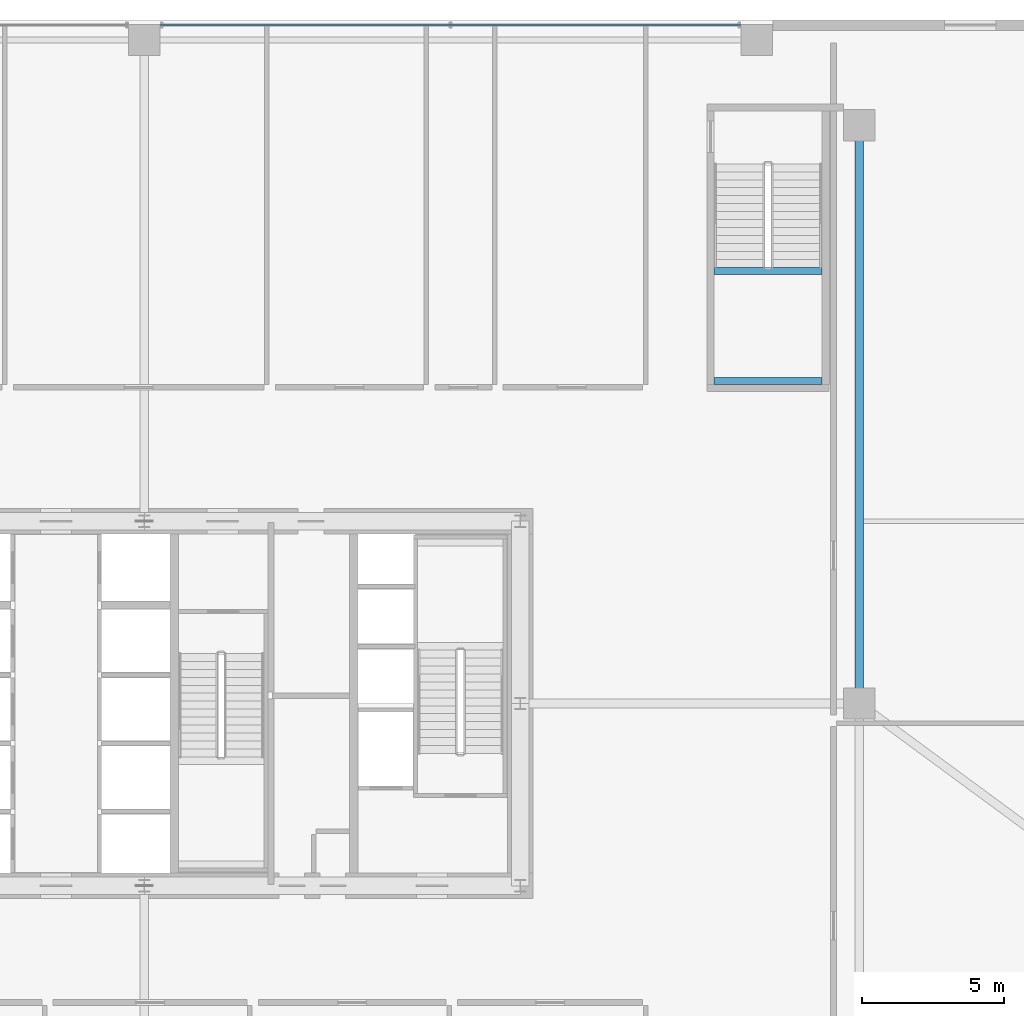
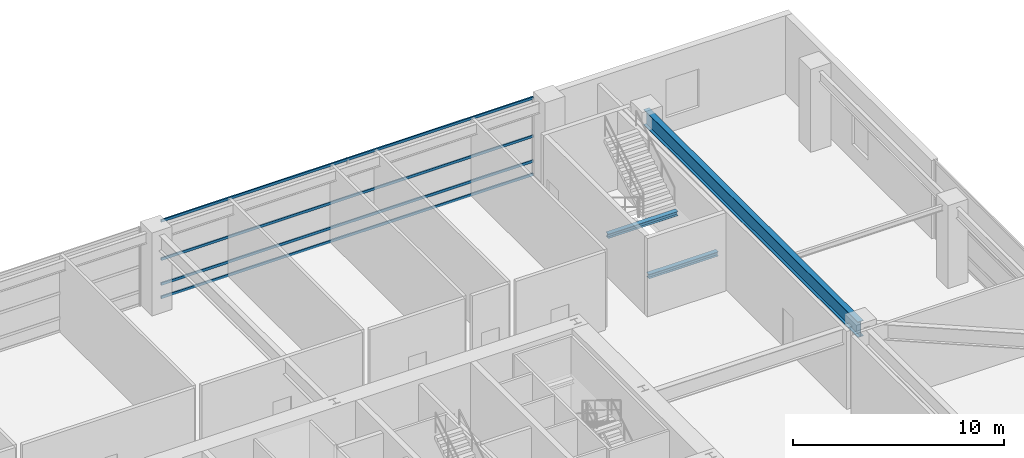
# One storey, part 26 of 39: 4 members, 3 beams, 1 element without a shape of its own.
"""IFC4 building model written with IfcOpenShell, lengths in metres."""

from ifc_helpers import new_model, si_unit, direction, frame, origin, origin_2d, place, context, subcontext, project, spatial, hollow_rectangle, i_section, extrude, source, transform, mapped, material, layer, layer_set, material_profile, profile_set, type_object, element, aggregate, save


model = new_model("IFC4")

# Units and contexts
model_context = context("Model", 3, precision=1e-05, world=origin(), true_north=direction((0.0, 1.0)))
body_context = subcontext(model_context, "Body", "Model", "MODEL_VIEW")
ifc_project = project(units=[si_unit("LENGTHUNIT", "METRE"), si_unit("AREAUNIT", "SQUARE_METRE"), si_unit("VOLUMEUNIT", "CUBIC_METRE"), si_unit("PLANEANGLEUNIT", "RADIAN"), si_unit("MASSUNIT", "GRAM", prefix="KILO"), si_unit("THERMODYNAMICTEMPERATUREUNIT", "KELVIN"), si_unit("POWERUNIT", "WATT")], contexts=[model_context])

# Site, building, storey
site_placement = place(None, origin())
site = spatial("IfcSite", under=ifc_project, at=site_placement, CompositionType="ELEMENT")
building_placement = place(site_placement, origin())
building = spatial("IfcBuilding", under=site, at=building_placement, Name="Yuzanri Waterfront Tower", CompositionType="ELEMENT")
storey_placement = place(building_placement, frame((0.0, 0.0, 15.0)))
storey = spatial("IfcBuildingStorey", under=building, at=storey_placement, Name="L04", CompositionType="ELEMENT", Elevation=15.0)

# Beam
ifc_material_1 = material(Name="Steel Q355B", Category="steel")
ifc_material_profile_1 = material_profile(ifc_material_1, i_section(OverallWidth=0.300048828125, OverallDepth=0.89990234375, WebThickness=0.01611328125, FlangeThickness=0.028076171875, at=origin_2d()), Name="HN 900x300x16x28")
ifc_profile_set_1 = profile_set([ifc_material_profile_1], Name="Steel Q355B")
beam_type_1 = type_object("IfcBeamType", Name="Primary Podium Girder Q355B HN 900x300", PredefinedType="BEAM", material=ifc_profile_set_1)
shared_shape_1 = source(origin(), body_context, "Body", "SweptSolid", [
    extrude(i_section(OverallWidth=0.300048828125, OverallDepth=0.89990234375, WebThickness=0.01611328125, FlangeThickness=0.028076171875, at=origin_2d()), origin(), (0.0, 0.0, 1.0), 20.300048828125),
])
beam_placement = place(storey_placement, frame((62.10009765625, 25.800048828125, 4.070068359375), z_axis=(0.0, 1.0, 0.0), x_axis=(-1.0, 0.0, 0.0)))
element("IfcBeam", 1, at=beam_placement, inside=storey, type_object=beam_type_1, Name="L04 Podium East Spine N", PredefinedType="BEAM", context=body_context, shape_type="MappedRepresentation", body=[
    mapped(shared_shape_1, transform((0.0, 0.0, 0.0), scale=1.0)),
])

# Curtain wall, members
ifc_material_2 = material(Name="Anodized Architectural Bronze", Category="metal")
ifc_layer = layer(ifc_material_2, 0.159912109375)
ifc_layer_set = layer_set([ifc_layer], Name="Anodized Architectural Bronze")
curtain_wall_type = type_object("IfcCurtainWallType", Name="Anodized Bronze Podium Waterfront Double-Height Unitized Curtain Wall 8400", PredefinedType="NOTDEFINED", material=ifc_layer_set)
curtain_wall_placement = place(storey_placement, origin())
curtain_wall = element("IfcCurtainWall", 2, at=curtain_wall_placement, inside=storey, type_object=curtain_wall_type, Name="L04 Curtain Wall CW-L04-N2", PredefinedType="NOTDEFINED")
ifc_material_3 = material(Name="Anodized Architectural Bronze", Category="metal")
ifc_material_profile_2 = material_profile(ifc_material_3, hollow_rectangle(XDim=0.074951171875, YDim=0.14990234375, WallThickness=0.00390625, at=origin_2d()), Name="CWT 75x150")
ifc_profile_set_2 = profile_set([ifc_material_profile_2], Name="Anodized Architectural Bronze")
member_type = type_object("IfcMemberType", Name="Anodized Bronze Primary Curtain-Wall Transom 75x150", PredefinedType="USERDEFINED", material=ifc_profile_set_2)
shared_shape_2 = source(origin(), body_context, "Body", "SweptSolid", [
    extrude(hollow_rectangle(XDim=0.074951171875, YDim=0.14990234375, WallThickness=0.00390625, at=origin_2d()), origin(), (0.0, 0.0, 1.0), 20.35986328125),
])
member_1_placement = place(storey_placement, frame((37.570068359375, 49.6201171875, 0.050048828125), z_axis=(1.0, 0.0, 0.0), x_axis=(0.0, 1.0, 0.0)))
member_1 = element("IfcMember", 3, at=member_1_placement, type_object=member_type, Name="CW-L04-N2 Transom 1", ObjectType="TRANSOM", PredefinedType="USERDEFINED", context=body_context, shape_type="MappedRepresentation", body=[
    mapped(shared_shape_2, transform((0.0, 0.0, 0.0), scale=1.0)),
])
member_2_placement = place(storey_placement, frame((37.570068359375, 49.6201171875, 0.820068359375), z_axis=(1.0, 0.0, 0.0), x_axis=(0.0, 1.0, 0.0)))
member_2 = element("IfcMember", 4, at=member_2_placement, type_object=member_type, Name="CW-L04-N2 Transom 2", ObjectType="TRANSOM", PredefinedType="USERDEFINED", context=body_context, shape_type="MappedRepresentation", body=[
    mapped(shared_shape_2, transform((0.0, 0.0, 0.0), scale=1.0)),
])
member_3_placement = place(storey_placement, frame((37.570068359375, 49.6201171875, 2.260009765625), z_axis=(1.0, 0.0, 0.0), x_axis=(0.0, 1.0, 0.0)))
member_3 = element("IfcMember", 5, at=member_3_placement, type_object=member_type, Name="CW-L04-N2 Transom 3", ObjectType="TRANSOM", PredefinedType="USERDEFINED", context=body_context, shape_type="MappedRepresentation", body=[
    mapped(shared_shape_2, transform((0.0, 0.0, 0.0), scale=1.0)),
])
member_4_placement = place(storey_placement, frame((37.570068359375, 49.6201171875, 4.469970703125), z_axis=(1.0, 0.0, 0.0), x_axis=(0.0, 1.0, 0.0)))
member_4 = element("IfcMember", 6, at=member_4_placement, type_object=member_type, Name="CW-L04-N2 Transom 4", ObjectType="TRANSOM", PredefinedType="USERDEFINED", context=body_context, shape_type="MappedRepresentation", body=[
    mapped(shared_shape_2, transform((0.0, 0.0, 0.0), scale=1.0)),
])
aggregate(curtain_wall, [member_1, member_2, member_3, member_4])

# Beams
ifc_material_4 = material(Name="Steel Q355B", Category="steel")
ifc_material_profile_3 = material_profile(ifc_material_4, i_section(OverallWidth=0.25, OverallDepth=0.25, WebThickness=0.009033203125, FlangeThickness=0.013916015625, at=origin_2d()), Name="HW 250x250x9x14")
ifc_profile_set_3 = profile_set([ifc_material_profile_3], Name="Steel Q355B")
beam_type_2 = type_object("IfcBeamType", Name="Stair Landing Support Beam Q355B HW 250x250", PredefinedType="BEAM", material=ifc_profile_set_3)
shared_shape_3 = source(origin(), body_context, "Body", "SweptSolid", [
    extrude(i_section(OverallWidth=0.25, OverallDepth=0.25, WebThickness=0.009033203125, FlangeThickness=0.013916015625, at=origin_2d()), origin(), (0.0, 0.0, 1.0), 3.800048828125),
])
for number, where, z_axis, x_axis, name in (
    (7, (57.0, 37.1298828125, 2.074951171875), (1.0, 0.0, 0.0), (0.0, 1.0, 0.0), "L04 Stair Landing Support Beam PST-03-L04-L1-1"),
    (8, (57.0, 40.97998046875, 2.074951171875), (1.0, 0.0, 0.0), (0.0, 1.0, 0.0), "L04 Stair Landing Support Beam PST-03-L04-L1-2"),
):
    element("IfcBeam", number, at=place(storey_placement, frame(where, z_axis=z_axis, x_axis=x_axis)), inside=storey, type_object=beam_type_2, Name=name, PredefinedType="BEAM", context=body_context, shape_type="MappedRepresentation", body=[
        mapped(shared_shape_3, transform((0.0, 0.0, 0.0), scale=1.0)),
    ])

save(model, "model.ifc")
